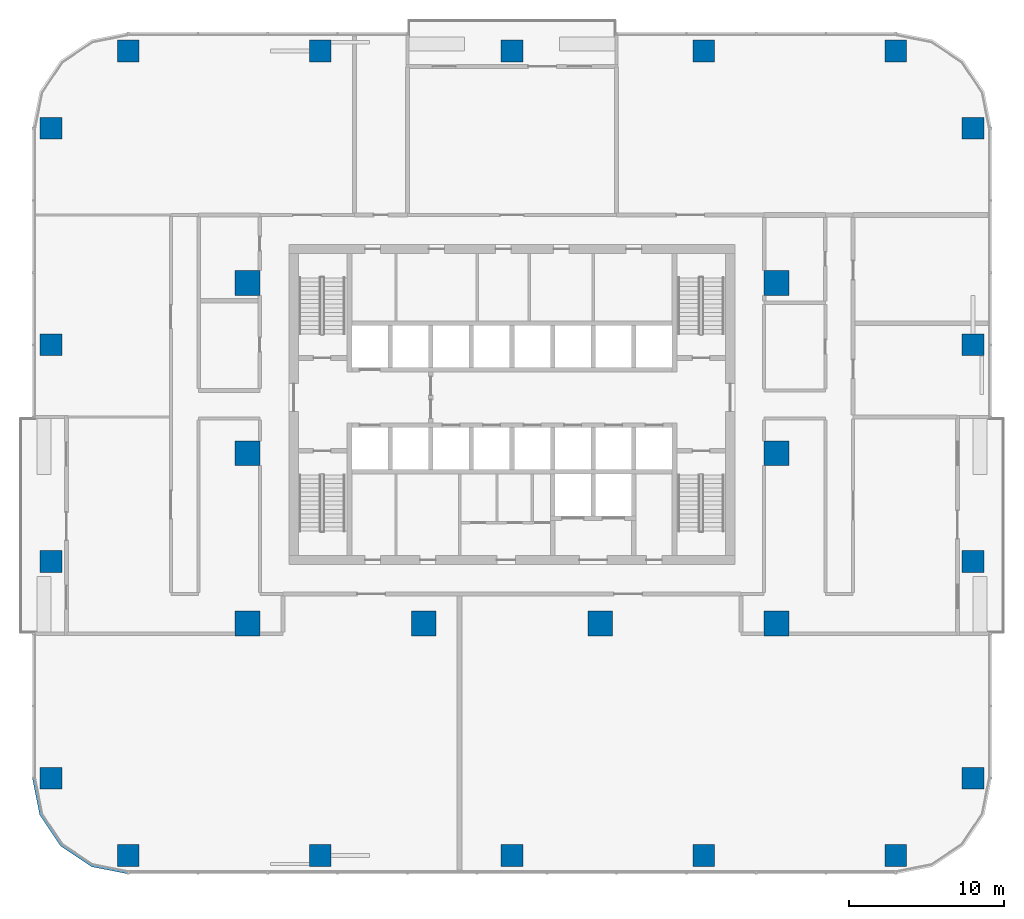
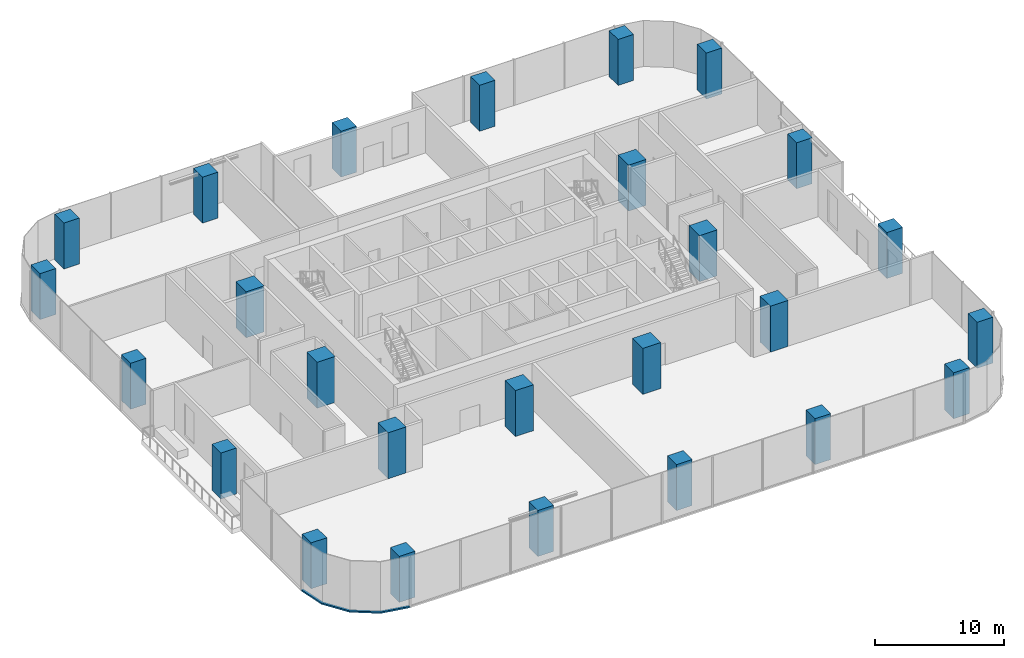
# One storey, part 1 of 14: 26 columns, 1 member, 1 element without a shape of its own.
"""IFC4 building model written with IfcOpenShell, lengths in metres."""

from ifc_helpers import new_model, si_unit, direction, frame, origin, origin_2d, place, context, subcontext, project, spatial, polyline, rectangle, outline, extrude, material, material_profile, profile_set, type_object, element, aggregate, save


model = new_model("IFC4")

# Units and contexts
model_context = context("Model", 3, precision=1e-05, world=origin(), true_north=direction((0.0, 1.0)))
body_context = subcontext(model_context, "Body", "Model", "MODEL_VIEW")
ifc_project = project(units=[si_unit("LENGTHUNIT", "METRE"), si_unit("AREAUNIT", "SQUARE_METRE"), si_unit("VOLUMEUNIT", "CUBIC_METRE"), si_unit("PLANEANGLEUNIT", "RADIAN"), si_unit("MASSUNIT", "GRAM", prefix="KILO")], contexts=[model_context])

# Site, building, storey
site_placement = place(None, origin())
site = spatial("IfcSite", under=ifc_project, at=site_placement, CompositionType="ELEMENT")
building_placement = place(site_placement, origin())
building = spatial("IfcBuilding", under=site, at=building_placement, Name="Mopane Tessera Tower", CompositionType="ELEMENT")
storey_placement = place(building_placement, frame((0.0, 0.0, 55.0)))
storey = spatial("IfcBuildingStorey", under=building, at=storey_placement, Name="L10", CompositionType="ELEMENT", Elevation=55.0)

# Columns
ifc_material_1 = material(Name="Concrete C60/75", Category="concrete")
ifc_material_profile_1 = material_profile(ifc_material_1, rectangle(XDim=1.60009765625, YDim=1.60009765625, at=origin_2d()))
ifc_profile_set_1 = profile_set([ifc_material_profile_1], Name="Concrete C60/75")
column_type_1 = type_object("IfcColumnType", Name="Interior column 1600 x 1600 C60/75", PredefinedType="COLUMN", material=ifc_profile_set_1)
for number, where, z_axis, x_axis, name in (
    (1, (-17.10009765625, -11.0, 0.0), (0.0, 0.0, 1.0), (1.0, 0.0, 0.0), "Interior column I1A L10"),
    (2, (-17.10009765625, 0.0, 0.0), (0.0, 0.0, 1.0), (1.0, 0.0, 0.0), "Interior column I1B L10"),
    (3, (-17.10009765625, 11.0, 0.0), (0.0, 0.0, 1.0), (1.0, 0.0, 0.0), "Interior column I1C L10"),
    (4, (-5.699951171875, -11.0, 0.0), (0.0, 0.0, 1.0), (1.0, 0.0, 0.0), "Interior column I2A L10"),
    (5, (5.699951171875, -11.0, 0.0), (0.0, 0.0, 1.0), (1.0, 0.0, 0.0), "Interior column I3A L10"),
    (6, (17.10009765625, -11.0, 0.0), (0.0, 0.0, 1.0), (1.0, 0.0, 0.0), "Interior column I4A L10"),
    (7, (17.10009765625, 0.0, 0.0), (0.0, 0.0, 1.0), (1.0, 0.0, 0.0), "Interior column I4B L10"),
    (8, (17.10009765625, 11.0, 0.0), (0.0, 0.0, 1.0), (1.0, 0.0, 0.0), "Interior column I4C L10"),
):
    element("IfcColumn", number, at=place(storey_placement, frame(where, z_axis=z_axis, x_axis=x_axis)), inside=storey, type_object=column_type_1, Name=name, PredefinedType="COLUMN", context=body_context, shape_type="SweptSolid", body=[
        extrude(rectangle(XDim=1.60009765625, YDim=1.60009765625, at=origin_2d()), origin(), (0.0, 0.0, 1.0), 4.35009765625),
    ])
ifc_material_2 = material(Name="Concrete C60/75", Category="concrete")
ifc_material_profile_2 = material_profile(ifc_material_2, rectangle(XDim=1.39990234375, YDim=1.39990234375, at=origin_2d()))
ifc_profile_set_2 = profile_set([ifc_material_profile_2], Name="Concrete C60/75")
column_type_2 = type_object("IfcColumnType", Name="Ring column 1400 x 1400 C60/75", PredefinedType="COLUMN", material=ifc_profile_set_2)
for number, where, z_axis, x_axis, name in (
    (9, (-24.800048828125, -26.0, 0.0), (0.0, 0.0, 1.0), (1.0, 0.0, 0.0), "Ring column S0 L10"),
    (10, (-12.39990234375, -26.0, 0.0), (0.0, 0.0, 1.0), (1.0, 0.0, 0.0), "Ring column S1 L10"),
    (11, (0.0, -26.0, 0.0), (0.0, 0.0, 1.0), (1.0, 0.0, 0.0), "Ring column S2 L10"),
    (12, (12.39990234375, -26.0, 0.0), (0.0, 0.0, 1.0), (1.0, 0.0, 0.0), "Ring column S3 L10"),
    (13, (24.800048828125, -26.0, 0.0), (0.0, 0.0, 1.0), (1.0, 0.0, 0.0), "Ring column S4 L10"),
    (14, (29.800048828125, -21.0, 0.0), (0.0, 0.0, 1.0), (1.0, 0.0, 0.0), "Ring column E0 L10"),
    (15, (29.800048828125, -7.0, 0.0), (0.0, 0.0, 1.0), (1.0, 0.0, 0.0), "Ring column E1 L10"),
    (16, (29.800048828125, 7.0, 0.0), (0.0, 0.0, 1.0), (1.0, 0.0, 0.0), "Ring column E2 L10"),
    (17, (29.800048828125, 21.0, 0.0), (0.0, 0.0, 1.0), (1.0, 0.0, 0.0), "Ring column E3 L10"),
    (18, (24.800048828125, 26.0, 0.0), (0.0, 0.0, 1.0), (1.0, 0.0, 0.0), "Ring column N0 L10"),
    (19, (12.39990234375, 26.0, 0.0), (0.0, 0.0, 1.0), (1.0, 0.0, 0.0), "Ring column N1 L10"),
    (20, (0.0, 26.0, 0.0), (0.0, 0.0, 1.0), (1.0, 0.0, 0.0), "Ring column N2 L10"),
    (21, (-12.39990234375, 26.0, 0.0), (0.0, 0.0, 1.0), (1.0, 0.0, 0.0), "Ring column N3 L10"),
    (22, (-24.800048828125, 26.0, 0.0), (0.0, 0.0, 1.0), (1.0, 0.0, 0.0), "Ring column N4 L10"),
    (23, (-29.800048828125, 21.0, 0.0), (0.0, 0.0, 1.0), (1.0, 0.0, 0.0), "Ring column W0 L10"),
    (24, (-29.800048828125, 7.0, 0.0), (0.0, 0.0, 1.0), (1.0, 0.0, 0.0), "Ring column W1 L10"),
    (25, (-29.800048828125, -7.0, 0.0), (0.0, 0.0, 1.0), (1.0, 0.0, 0.0), "Ring column W2 L10"),
    (26, (-29.800048828125, -21.0, 0.0), (0.0, 0.0, 1.0), (1.0, 0.0, 0.0), "Ring column W3 L10"),
):
    element("IfcColumn", number, at=place(storey_placement, frame(where, z_axis=z_axis, x_axis=x_axis)), inside=storey, type_object=column_type_2, Name=name, PredefinedType="COLUMN", context=body_context, shape_type="SweptSolid", body=[
        extrude(rectangle(XDim=1.39990234375, YDim=1.39990234375, at=origin_2d()), origin(), (0.0, 0.0, 1.0), 4.35009765625),
    ])

# Curtain wall, member
ifc_material_3 = material(Name="Aluminium frame", Category="aluminium")
curtain_wall_type = type_object("IfcCurtainWallType", Name="Lower tower unitised wall", PredefinedType="NOTDEFINED", material=ifc_material_3)
curtain_wall_placement = place(storey_placement, origin())
curtain_wall = element("IfcCurtainWall", 27, at=curtain_wall_placement, inside=storey, type_object=curtain_wall_type, Name="e:cw:L10:CW", PredefinedType="NOTDEFINED")
ifc_material_4 = material(Name="Aluminium frame", Category="aluminium")
ifc_material_profile_3 = material_profile(ifc_material_4, rectangle(XDim=0.199951171875, YDim=0.139892578125, at=origin_2d()))
ifc_profile_set_3 = profile_set([ifc_material_profile_3], Name="Aluminium frame")
member_type = type_object("IfcMemberType", Name="Aluminium transom 200 x 140", PredefinedType="USERDEFINED", material=ifc_profile_set_3)
member_placement = place(storey_placement, frame((0.0, 0.0, -0.449951171875)))
member = element("IfcMember", 28, at=member_placement, type_object=member_type, Name="e:cw:L10:CW:tr", ObjectType="TRANSOM", PredefinedType="USERDEFINED", context=body_context, shape_type="SweptSolid", body=[
    extrude(outline(polyline([(-30.800048828125, -21.0), (-30.34326171875, -23.296142578125), (-29.042724609375, -25.24267578125), (-27.09619140625, -26.543212890625), (-24.800048828125, -27.0), (-24.800048828125, -27.199951171875), (-27.172607421875, -26.72802734375), (-29.18408203125, -25.384033203125), (-30.528076171875, -23.37255859375), (-31.0, -21.0), (-30.800048828125, -21.0)])), origin(), (0.0, 0.0, 1.0), 0.139892578125),
])
aggregate(curtain_wall, [member])

save(model, "model.ifc")
